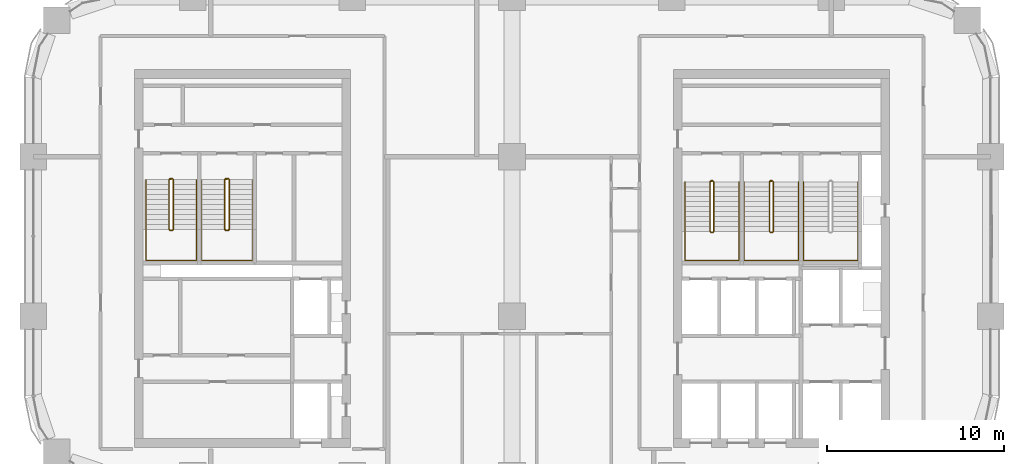
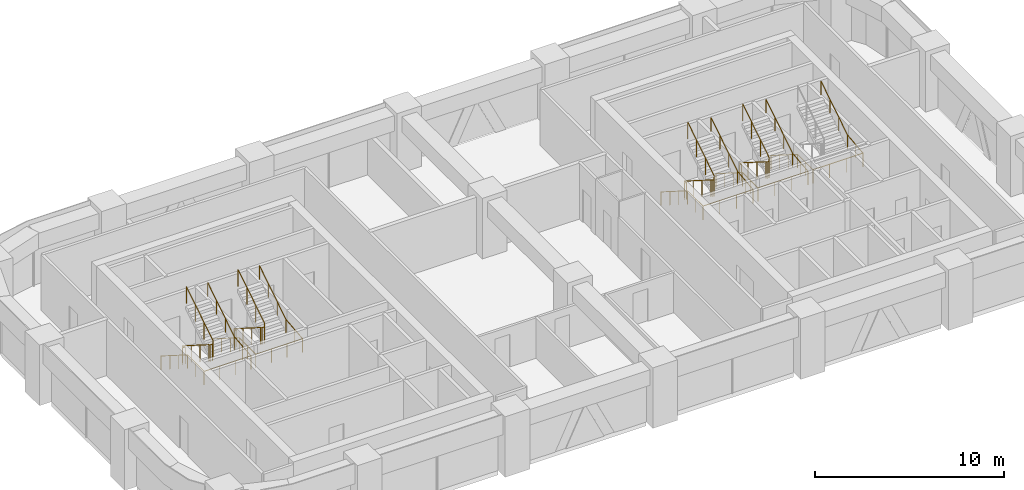
# One storey, part 18 of 19: 9 railings.
"""IFC4 building model written with IfcOpenShell, lengths in metres."""

import ifcopenshell
import ifcopenshell.guid

model = None  # the IFC model being written
_history = None  # IfcOwnerHistory: only IFC2X3 demands one
_inside = {}  # id of a spatial element -> (the spatial element, [elements in it])
_under = {}  # id of a project, library or spatial element -> (it, [spatial elements below it])
_declared = {}  # id of a project -> (the project, [libraries it declares])
_typed = {}  # id of a type object -> (the type object, [elements of that type])
_made_of = {}  # id of a material, layer set ... -> (it, [elements and type objects made of it])


def new_model(schema):
    """Start an empty IFC model of exactly this schema.

    Asked for "IFC4X3", IfcOpenShell would pick the latest addendum, in which some entities
    have other attributes; the version numbers below select the first issue.
    IFC2X3 requires an IfcOwnerHistory on every rooted entity: one is made here for all.
    """
    global model, _history
    if schema == "IFC4X3":
        model = ifcopenshell.file(schema_version=(4, 3, 0, 0))
    else:
        model = ifcopenshell.file(schema=schema)
    _inside.clear()
    _under.clear()
    _declared.clear()
    _typed.clear()
    _made_of.clear()
    _history = None
    if model.schema == "IFC2X3":
        org = make("IfcOrganization", Name="unknown")
        user = make(
            "IfcPersonAndOrganization",
            ThePerson=make("IfcPerson", FamilyName="unknown"),
            TheOrganization=org,
        )
        app = make(
            "IfcApplication",
            ApplicationDeveloper=org,
            Version="unknown",
            ApplicationFullName="unknown",
            ApplicationIdentifier="unknown",
        )
        _history = make(
            "IfcOwnerHistory",
            OwningUser=user,
            OwningApplication=app,
            ChangeAction="ADDED",
            CreationDate=0,
        )
    return model


def make(cls, **values):
    """One entity of the class cls with the attributes given. An attribute that is None is left unset."""
    return model.create_entity(
        cls, **{name: value for name, value in values.items() if value is not None}
    )


def rooted(cls, **values):
    """An entity with a GlobalId (a new one), such as an element, a storey or a relation."""
    return make(cls, GlobalId=ifcopenshell.guid.new(), OwnerHistory=_history, **values)


def si_unit(unit_type, name, prefix=None):
    """IfcSIUnit, for example si_unit("LENGTHUNIT", "METRE", prefix="MILLI")."""
    return make("IfcSIUnit", UnitType=unit_type, Prefix=prefix, Name=name)


def assignment(units):
    """IfcUnitAssignment: the units of a project."""
    return None if units is None else make("IfcUnitAssignment", Units=units)


def point(xyz):
    """IfcCartesianPoint."""
    return None if xyz is None else make("IfcCartesianPoint", Coordinates=xyz)


def direction(xyz):
    """IfcDirection."""
    return None if xyz is None else make("IfcDirection", DirectionRatios=xyz)


def frame(location, z_axis=None, x_axis=None):
    """IfcAxis2Placement3D, a coordinate frame: its origin and axes. An axis left out is left unset."""
    return make(
        "IfcAxis2Placement3D",
        Location=point(location),
        Axis=direction(z_axis),
        RefDirection=direction(x_axis),
    )


def frame_2d(location, x_axis=None):
    """IfcAxis2Placement2D, a coordinate frame in the plane: its origin and x axis."""
    return make(
        "IfcAxis2Placement2D", Location=point(location), RefDirection=direction(x_axis)
    )


def origin():
    """The frame at (0, 0, 0) with its axes left unset."""
    return frame((0.0, 0.0, 0.0))


def origin_2d():
    """The frame at (0, 0) in the plane with its x axis left unset."""
    return frame_2d((0.0, 0.0))


def place(relative_to, where):
    """IfcLocalPlacement: puts the frame where relative to a parent placement (None: the world)."""
    return make(
        "IfcLocalPlacement", PlacementRelTo=relative_to, RelativePlacement=where
    )


def context(
    kind, dimensions, precision=None, world=None, true_north=None, identifier=None
):
    """IfcGeometricRepresentationContext, for example the 3D "Model" context."""
    return make(
        "IfcGeometricRepresentationContext",
        ContextIdentifier=identifier,
        ContextType=kind,
        CoordinateSpaceDimension=dimensions,
        Precision=precision,
        WorldCoordinateSystem=world,
        TrueNorth=true_north,
    )


def subcontext(parent, identifier, kind, view, scale=None):
    """IfcGeometricRepresentationSubContext, for example "Body" below "Model"."""
    return make(
        "IfcGeometricRepresentationSubContext",
        ContextIdentifier=identifier,
        ContextType=kind,
        ParentContext=parent,
        TargetScale=scale,
        TargetView=view,
    )


def project(units=None, contexts=None):
    """IfcProject with its units and contexts."""
    return rooted(
        "IfcProject",
        Name="project",
        RepresentationContexts=contexts,
        UnitsInContext=assignment(units),
    )


def spatial(cls, under=None, at=None, **own):
    """A site, building, storey or space (cls), placed at a placement, below another one or the project."""
    s = rooted(cls, ObjectPlacement=at, **own)
    if under is not None:
        _under.setdefault(under.id(), (under, []))[1].append(s)
    return s


def profile(cls, at=None, kind="AREA", **sizes):
    """A parametric profile (cls). Its sizes go by their IFC names, for example OverallWidth=200.0."""
    return make(cls, ProfileType=kind, Position=at, **sizes)


def circle(**sizes):
    """IfcCircleProfileDef."""
    return profile("IfcCircleProfileDef", **sizes)


def extrude(swept, where, along, depth):
    """IfcExtrudedAreaSolid: the profile swept, set in the frame where, extruded along a direction by depth."""
    return make(
        "IfcExtrudedAreaSolid",
        SweptArea=swept,
        Position=where,
        ExtrudedDirection=direction(along),
        Depth=depth,
    )


def shape(context_of_items, identifier, shape_type, items):
    """IfcShapeRepresentation: the items that make up one representation, for example the "Body"."""
    return make(
        "IfcShapeRepresentation",
        ContextOfItems=context_of_items,
        RepresentationIdentifier=identifier,
        RepresentationType=shape_type,
        Items=items,
    )


def material(Name=None, Category=None):
    """IfcMaterial."""
    return make("IfcMaterial", Name=Name, Category=Category)


def made_of(thing, what):
    """Note that an element or type object is made of a material, layer set ...; save() writes the relation."""
    if what is not None:
        _made_of.setdefault(what.id(), (what, []))[1].append(thing)
    return thing


def type_object(cls, material=None, **own):
    """A type object (cls), such as IfcWallType, which elements share."""
    return made_of(rooted(cls, **own), material)


def element(
    cls,
    number,
    at=None,
    inside=None,
    cuts=None,
    type_object=None,
    material=None,
    context=None,
    identifier="Body",
    shape_type=None,
    held_by="IfcProductDefinitionShape",
    body=None,
    shapes=None,
    **own,
):
    """One element of the class cls, such as IfcWall. Its Tag is "e" and its number.

    at: its placement. inside: the storey or other place that contains it. cuts: it is an
    opening in that element (IfcRelVoidsElement). A single representation is given by context,
    identifier, shape_type and body (its items); several are given by shapes. held_by: the class
    of the entity that holds the representations. save() writes the other relations.
    """
    e = rooted(cls, Tag="e%d" % number, ObjectPlacement=at, **own)
    if body is not None:
        shapes = [shape(context, identifier, shape_type, body)]
    if shapes is not None:
        e.Representation = make(held_by, Representations=shapes)
    if inside is not None:
        _inside.setdefault(inside.id(), (inside, []))[1].append(e)
    if cuts is not None:
        rooted(
            "IfcRelVoidsElement", RelatingBuildingElement=cuts, RelatedOpeningElement=e
        )
    if type_object is not None:
        _typed.setdefault(type_object.id(), (type_object, []))[1].append(e)
    return made_of(e, material)


def aggregate(whole, parts):
    """IfcRelAggregates: a whole, such as a stair, and the parts it consists of."""
    return rooted("IfcRelAggregates", RelatingObject=whole, RelatedObjects=parts)


def save(model, path):
    """Write the relations noted so far, then the file.

    IfcRelAggregates (storeys below a building ...), IfcRelContainedInSpatialStructure (elements
    in a storey), IfcRelDefinesByType, IfcRelAssociatesMaterial and IfcRelDeclares: one each for
    every whole, place, type object, material and project.
    """
    for whole, parts in _under.values():
        aggregate(whole, parts)
    for where, things in _inside.values():
        rooted(
            "IfcRelContainedInSpatialStructure",
            RelatedElements=things,
            RelatingStructure=where,
        )
    for kind, things in _typed.values():
        rooted("IfcRelDefinesByType", RelatedObjects=things, RelatingType=kind)
    for what, things in _made_of.values():
        rooted("IfcRelAssociatesMaterial", RelatedObjects=things, RelatingMaterial=what)
    for by, libraries in _declared.values():
        rooted("IfcRelDeclares", RelatingContext=by, RelatedDefinitions=libraries)
    model.write(path)


model = new_model("IFC4")

# Units and contexts
model_context = context("Model", 3, precision=1e-05, world=origin(), true_north=direction((0.0, 1.0)))
body_context = subcontext(model_context, "Body", "Model", "MODEL_VIEW")
ifc_project = project(units=[si_unit("LENGTHUNIT", "METRE"), si_unit("AREAUNIT", "SQUARE_METRE"), si_unit("VOLUMEUNIT", "CUBIC_METRE"), si_unit("PLANEANGLEUNIT", "RADIAN"), si_unit("MASSUNIT", "GRAM", prefix="KILO")], contexts=[model_context])

# Site, building, storey
site_placement = place(None, origin())
site = spatial("IfcSite", under=ifc_project, at=site_placement, CompositionType="ELEMENT")
building_placement = place(site_placement, origin())
building = spatial("IfcBuilding", under=site, at=building_placement, Name="Tessera Arch", CompositionType="ELEMENT")
storey_placement = place(building_placement, frame((0.0, 0.0, 170.0)))
storey = spatial("IfcBuildingStorey", under=building, at=storey_placement, Name="L40", CompositionType="ELEMENT", Elevation=170.0)

# Railings
ifc_material_1 = material(Name="Painted steel balustrade", Category="steel")
railing_type_1 = type_object("IfcRailingType", Name="Stair guard 1100", PredefinedType="GUARDRAIL", material=ifc_material_1)
railing_1_placement = place(storey_placement, frame((38.219970703125, 43.6298828125, 0.0)))
element("IfcRailing", 1, at=railing_1_placement, inside=storey, type_object=railing_type_1, Name="L40 S1a stair guard 1", PredefinedType="GUARDRAIL", context=body_context, shape_type="SweptSolid", body=[
    extrude(circle(Radius=0.02392578125, at=origin_2d()), frame((-0.00390625, 0.0, 1.076171875), z_axis=(1.0, 0.0, 0.0), x_axis=(0.0, 1.0, 0.0)), (0.0, 0.0, 1.0), 0.1181640625),
    extrude(circle(Radius=0.02392578125, at=origin_2d()), frame((0.11279296875, 0.000732421875, 1.0732421875), z_axis=(-0.656319048605, -0.204099216335, 0.726353093426), x_axis=(0.296948579431, -0.954893471113, 0.0)), (0.0, 0.0, 1.0), 0.251953125),
    extrude(circle(Radius=0.02392578125, at=origin_2d()), frame((-0.050048828125, -0.04638671875, 1.251220703125), z_axis=(0.0, -0.844908973607, 0.534910110503), x_axis=(1.0, 0.0, 0.0)), (0.0, 0.0, 1.0), 3.322021484375),
    extrude(circle(Radius=0.02392578125, at=origin_2d()), frame((-0.052978515625, -2.846923828125, 3.02587890625), z_axis=(0.707106781187, -0.707106781187, 0.0), x_axis=(0.707106781187, 0.707106781187, 0.0)), (0.0, 0.0, 1.0), 0.078857421875),
    extrude(circle(Radius=0.02392578125, at=origin_2d()), frame((-0.00390625, -2.89990234375, 3.02587890625), z_axis=(1.0, 0.0, 0.0), x_axis=(0.0, 1.0, 0.0)), (0.0, 0.0, 1.0), 0.1181640625),
    extrude(circle(Radius=0.02392578125, at=origin_2d()), frame((0.109130859375, -2.90087890625, 3.022216796875), z_axis=(0.261041864531, 0.262321481514, 0.929001929653), x_axis=(-0.708833529934, 0.705375805398, 0.0)), (0.0, 0.0, 1.0), 0.19873046875),
    extrude(circle(Radius=0.02392578125, at=origin_2d()), frame((0.159912109375, -2.853271484375, 3.201171875), z_axis=(0.0, 0.844908973607, 0.534910110503), x_axis=(-1.0, 0.0, 0.0)), (0.0, 0.0, 1.0), 3.322021484375),
    extrude(circle(Radius=0.02099609375, at=origin_2d()), origin(), (0.0, 0.0, 1.0), 1.06396484375),
    extrude(circle(Radius=0.02099609375, at=origin_2d()), frame((0.110107421875, 0.0, 0.0)), (0.0, 0.0, 1.0), 1.06396484375),
    extrude(circle(Radius=0.02099609375, at=origin_2d()), frame((-0.050048828125, -0.0498046875, 0.17724609375)), (0.0, 0.0, 1.0), 1.06396484375),
    extrude(circle(Radius=0.02099609375, at=origin_2d()), frame((-0.050048828125, -0.983154296875, 0.76806640625)), (0.0, 0.0, 1.0), 1.06396484375),
    extrude(circle(Radius=0.02099609375, at=origin_2d()), frame((-0.050048828125, -1.91650390625, 1.359130859375)), (0.0, 0.0, 1.0), 1.06396484375),
    extrude(circle(Radius=0.02099609375, at=origin_2d()), frame((-0.050048828125, -2.849853515625, 1.949951171875)), (0.0, 0.0, 1.0), 1.06396484375),
    extrude(circle(Radius=0.02099609375, at=origin_2d()), frame((0.0, -2.89990234375, 1.949951171875)), (0.0, 0.0, 1.0), 1.06396484375),
    extrude(circle(Radius=0.02099609375, at=origin_2d()), frame((0.110107421875, -2.89990234375, 1.949951171875)), (0.0, 0.0, 1.0), 1.06396484375),
    extrude(circle(Radius=0.02099609375, at=origin_2d()), frame((0.159912109375, -2.849853515625, 2.127197265625)), (0.0, 0.0, 1.0), 1.06396484375),
    extrude(circle(Radius=0.02099609375, at=origin_2d()), frame((0.159912109375, -1.91650390625, 2.718017578125)), (0.0, 0.0, 1.0), 1.06396484375),
    extrude(circle(Radius=0.02099609375, at=origin_2d()), frame((0.159912109375, -0.983154296875, 3.30908203125)), (0.0, 0.0, 1.0), 1.06396484375),
    extrude(circle(Radius=0.02099609375, at=origin_2d()), frame((0.159912109375, -0.0498046875, 3.89990234375)), (0.0, 0.0, 1.0), 1.06396484375),
])
railing_2_placement = place(storey_placement, frame((41.570068359375, 43.6298828125, 0.0)))
element("IfcRailing", 2, at=railing_2_placement, inside=storey, type_object=railing_type_1, Name="L40 S1b stair guard 1", PredefinedType="GUARDRAIL", context=body_context, shape_type="SweptSolid", body=[
    extrude(circle(Radius=0.02392578125, at=origin_2d()), frame((-0.00390625, 0.0, 1.076171875), z_axis=(1.0, 0.0, 0.0), x_axis=(0.0, 1.0, 0.0)), (0.0, 0.0, 1.0), 0.117919921875),
    extrude(circle(Radius=0.02392578125, at=origin_2d()), frame((0.112548828125, 0.000732421875, 1.0732421875), z_axis=(-0.65574896516, -0.204233265485, 0.726830150696), x_axis=(0.297361876254, -0.954764847777, 0.0)), (0.0, 0.0, 1.0), 0.251953125),
    extrude(circle(Radius=0.02392578125, at=origin_2d()), frame((-0.050048828125, -0.04638671875, 1.251220703125), z_axis=(0.0, -0.844908973607, 0.534910110503), x_axis=(1.0, 0.0, 0.0)), (0.0, 0.0, 1.0), 3.322021484375),
    extrude(circle(Radius=0.02392578125, at=origin_2d()), frame((-0.052978515625, -2.846923828125, 3.02587890625), z_axis=(0.707106781187, -0.707106781187, 0.0), x_axis=(0.707106781187, 0.707106781187, 0.0)), (0.0, 0.0, 1.0), 0.078857421875),
    extrude(circle(Radius=0.02392578125, at=origin_2d()), frame((-0.00390625, -2.89990234375, 3.02587890625), z_axis=(1.0, 0.0, 0.0), x_axis=(0.0, 1.0, 0.0)), (0.0, 0.0, 1.0), 0.117919921875),
    extrude(circle(Radius=0.02392578125, at=origin_2d()), frame((0.10888671875, -2.90087890625, 3.022216796875), z_axis=(0.262233686654, 0.262233686654, 0.928691007369), x_axis=(-0.707106781187, 0.707106781187, 0.0)), (0.0, 0.0, 1.0), 0.198974609375),
    extrude(circle(Radius=0.02392578125, at=origin_2d()), frame((0.159912109375, -2.853271484375, 3.201171875), z_axis=(0.0, 0.844908973607, 0.534910110503), x_axis=(-1.0, 0.0, 0.0)), (0.0, 0.0, 1.0), 3.322021484375),
    extrude(circle(Radius=0.02099609375, at=origin_2d()), origin(), (0.0, 0.0, 1.0), 1.06396484375),
    extrude(circle(Radius=0.02099609375, at=origin_2d()), frame((0.10986328125, 0.0, 0.0)), (0.0, 0.0, 1.0), 1.06396484375),
    extrude(circle(Radius=0.02099609375, at=origin_2d()), frame((-0.050048828125, -0.0498046875, 0.17724609375)), (0.0, 0.0, 1.0), 1.06396484375),
    extrude(circle(Radius=0.02099609375, at=origin_2d()), frame((-0.050048828125, -0.983154296875, 0.76806640625)), (0.0, 0.0, 1.0), 1.06396484375),
    extrude(circle(Radius=0.02099609375, at=origin_2d()), frame((-0.050048828125, -1.91650390625, 1.359130859375)), (0.0, 0.0, 1.0), 1.06396484375),
    extrude(circle(Radius=0.02099609375, at=origin_2d()), frame((-0.050048828125, -2.849853515625, 1.949951171875)), (0.0, 0.0, 1.0), 1.06396484375),
    extrude(circle(Radius=0.02099609375, at=origin_2d()), frame((0.0, -2.89990234375, 1.949951171875)), (0.0, 0.0, 1.0), 1.06396484375),
    extrude(circle(Radius=0.02099609375, at=origin_2d()), frame((0.10986328125, -2.89990234375, 1.949951171875)), (0.0, 0.0, 1.0), 1.06396484375),
    extrude(circle(Radius=0.02099609375, at=origin_2d()), frame((0.159912109375, -2.849853515625, 2.127197265625)), (0.0, 0.0, 1.0), 1.06396484375),
    extrude(circle(Radius=0.02099609375, at=origin_2d()), frame((0.159912109375, -1.91650390625, 2.718017578125)), (0.0, 0.0, 1.0), 1.06396484375),
    extrude(circle(Radius=0.02099609375, at=origin_2d()), frame((0.159912109375, -0.983154296875, 3.30908203125)), (0.0, 0.0, 1.0), 1.06396484375),
    extrude(circle(Radius=0.02099609375, at=origin_2d()), frame((0.159912109375, -0.0498046875, 3.89990234375)), (0.0, 0.0, 1.0), 1.06396484375),
])
railing_3_placement = place(storey_placement, frame((7.699951171875, 43.75, 0.0)))
element("IfcRailing", 3, at=railing_3_placement, inside=storey, type_object=railing_type_1, Name="L40 S2a stair guard 1", PredefinedType="GUARDRAIL", context=body_context, shape_type="SweptSolid", body=[
    extrude(circle(Radius=0.02392578125, at=origin_2d()), frame((-0.00390625, 0.0, 1.076171875), z_axis=(1.0, 0.0, 0.0), x_axis=(0.0, 1.0, 0.0)), (0.0, 0.0, 1.0), 0.158203125),
    extrude(circle(Radius=0.02392578125, at=origin_2d()), frame((0.153076171875, 0.000732421875, 1.073486328125), z_axis=(-0.735936453418, -0.183984113355, 0.651573006319), x_axis=(0.242535625036, -0.970142500145, 0.0)), (0.0, 0.0, 1.0), 0.280029296875),
    extrude(circle(Radius=0.02392578125, at=origin_2d()), frame((-0.050048828125, -0.046630859375, 1.251220703125), z_axis=(0.0, -0.844908973607, 0.534910110503), x_axis=(1.0, 0.0, 0.0)), (0.0, 0.0, 1.0), 3.322021484375),
    extrude(circle(Radius=0.02392578125, at=origin_2d()), frame((-0.052978515625, -2.84716796875, 3.02587890625), z_axis=(0.708833529934, -0.705375805398, 0.0), x_axis=(0.705375805398, 0.708833529934, 0.0)), (0.0, 0.0, 1.0), 0.07861328125),
    extrude(circle(Radius=0.02392578125, at=origin_2d()), frame((-0.00390625, -2.89990234375, 3.02587890625), z_axis=(1.0, 0.0, 0.0), x_axis=(0.0, 1.0, 0.0)), (0.0, 0.0, 1.0), 0.158203125),
    extrude(circle(Radius=0.02392578125, at=origin_2d()), frame((0.149169921875, -2.90087890625, 3.022216796875), z_axis=(0.261129318932, 0.261129318932, 0.929313164433), x_axis=(-0.707106781187, 0.707106781187, 0.0)), (0.0, 0.0, 1.0), 0.19873046875),
    extrude(circle(Radius=0.02392578125, at=origin_2d()), frame((0.199951171875, -2.853515625, 3.201171875), z_axis=(0.0, 0.844908973607, 0.534910110503), x_axis=(-1.0, 0.0, 0.0)), (0.0, 0.0, 1.0), 3.322021484375),
    extrude(circle(Radius=0.02099609375, at=origin_2d()), origin(), (0.0, 0.0, 1.0), 1.06396484375),
    extrude(circle(Radius=0.02099609375, at=origin_2d()), frame((0.150146484375, 0.0, 0.0)), (0.0, 0.0, 1.0), 1.06396484375),
    extrude(circle(Radius=0.02099609375, at=origin_2d()), frame((-0.050048828125, -0.050048828125, 0.17724609375)), (0.0, 0.0, 1.0), 1.06396484375),
    extrude(circle(Radius=0.02099609375, at=origin_2d()), frame((-0.050048828125, -0.9833984375, 0.76806640625)), (0.0, 0.0, 1.0), 1.06396484375),
    extrude(circle(Radius=0.02099609375, at=origin_2d()), frame((-0.050048828125, -1.916748046875, 1.359130859375)), (0.0, 0.0, 1.0), 1.06396484375),
    extrude(circle(Radius=0.02099609375, at=origin_2d()), frame((-0.050048828125, -2.85009765625, 1.949951171875)), (0.0, 0.0, 1.0), 1.06396484375),
    extrude(circle(Radius=0.02099609375, at=origin_2d()), frame((0.0, -2.89990234375, 1.949951171875)), (0.0, 0.0, 1.0), 1.06396484375),
    extrude(circle(Radius=0.02099609375, at=origin_2d()), frame((0.150146484375, -2.89990234375, 1.949951171875)), (0.0, 0.0, 1.0), 1.06396484375),
    extrude(circle(Radius=0.02099609375, at=origin_2d()), frame((0.199951171875, -2.85009765625, 2.127197265625)), (0.0, 0.0, 1.0), 1.06396484375),
    extrude(circle(Radius=0.02099609375, at=origin_2d()), frame((0.199951171875, -1.916748046875, 2.718017578125)), (0.0, 0.0, 1.0), 1.06396484375),
    extrude(circle(Radius=0.02099609375, at=origin_2d()), frame((0.199951171875, -0.9833984375, 3.30908203125)), (0.0, 0.0, 1.0), 1.06396484375),
    extrude(circle(Radius=0.02099609375, at=origin_2d()), frame((0.199951171875, -0.050048828125, 3.89990234375)), (0.0, 0.0, 1.0), 1.06396484375),
])
railing_4_placement = place(storey_placement, frame((10.85009765625, 43.75, 0.0)))
element("IfcRailing", 4, at=railing_4_placement, inside=storey, type_object=railing_type_1, Name="L40 S2b stair guard 1", PredefinedType="GUARDRAIL", context=body_context, shape_type="SweptSolid", body=[
    extrude(circle(Radius=0.02392578125, at=origin_2d()), frame((-0.00390625, 0.0, 1.076171875), z_axis=(1.0, 0.0, 0.0), x_axis=(0.0, 1.0, 0.0)), (0.0, 0.0, 1.0), 0.157958984375),
    extrude(circle(Radius=0.02392578125, at=origin_2d()), frame((0.15283203125, 0.000732421875, 1.073486328125), z_axis=(-0.735524641326, -0.184105679453, 0.652003528208), x_axis=(0.242814311512, -0.970072785993, 0.0)), (0.0, 0.0, 1.0), 0.27978515625),
    extrude(circle(Radius=0.02392578125, at=origin_2d()), frame((-0.050048828125, -0.046630859375, 1.251220703125), z_axis=(0.0, -0.844908973607, 0.534910110503), x_axis=(1.0, 0.0, 0.0)), (0.0, 0.0, 1.0), 3.322021484375),
    extrude(circle(Radius=0.02392578125, at=origin_2d()), frame((-0.052978515625, -2.84716796875, 3.02587890625), z_axis=(0.708833529934, -0.705375805398, 0.0), x_axis=(0.705375805398, 0.708833529934, 0.0)), (0.0, 0.0, 1.0), 0.07861328125),
    extrude(circle(Radius=0.02392578125, at=origin_2d()), frame((-0.00390625, -2.89990234375, 3.02587890625), z_axis=(1.0, 0.0, 0.0), x_axis=(0.0, 1.0, 0.0)), (0.0, 0.0, 1.0), 0.157958984375),
    extrude(circle(Radius=0.02392578125, at=origin_2d()), frame((0.14892578125, -2.90087890625, 3.022216796875), z_axis=(0.262321481514, 0.261041864531, 0.929001929653), x_axis=(-0.705375805398, 0.708833529934, 0.0)), (0.0, 0.0, 1.0), 0.19873046875),
    extrude(circle(Radius=0.02392578125, at=origin_2d()), frame((0.199951171875, -2.853515625, 3.201171875), z_axis=(0.0, 0.844908973607, 0.534910110503), x_axis=(-1.0, 0.0, 0.0)), (0.0, 0.0, 1.0), 3.322021484375),
    extrude(circle(Radius=0.02099609375, at=origin_2d()), origin(), (0.0, 0.0, 1.0), 1.06396484375),
    extrude(circle(Radius=0.02099609375, at=origin_2d()), frame((0.14990234375, 0.0, 0.0)), (0.0, 0.0, 1.0), 1.06396484375),
    extrude(circle(Radius=0.02099609375, at=origin_2d()), frame((-0.050048828125, -0.050048828125, 0.17724609375)), (0.0, 0.0, 1.0), 1.06396484375),
    extrude(circle(Radius=0.02099609375, at=origin_2d()), frame((-0.050048828125, -0.9833984375, 0.76806640625)), (0.0, 0.0, 1.0), 1.06396484375),
    extrude(circle(Radius=0.02099609375, at=origin_2d()), frame((-0.050048828125, -1.916748046875, 1.359130859375)), (0.0, 0.0, 1.0), 1.06396484375),
    extrude(circle(Radius=0.02099609375, at=origin_2d()), frame((-0.050048828125, -2.85009765625, 1.949951171875)), (0.0, 0.0, 1.0), 1.06396484375),
    extrude(circle(Radius=0.02099609375, at=origin_2d()), frame((0.0, -2.89990234375, 1.949951171875)), (0.0, 0.0, 1.0), 1.06396484375),
    extrude(circle(Radius=0.02099609375, at=origin_2d()), frame((0.14990234375, -2.89990234375, 1.949951171875)), (0.0, 0.0, 1.0), 1.06396484375),
    extrude(circle(Radius=0.02099609375, at=origin_2d()), frame((0.199951171875, -2.85009765625, 2.127197265625)), (0.0, 0.0, 1.0), 1.06396484375),
    extrude(circle(Radius=0.02099609375, at=origin_2d()), frame((0.199951171875, -1.916748046875, 2.718017578125)), (0.0, 0.0, 1.0), 1.06396484375),
    extrude(circle(Radius=0.02099609375, at=origin_2d()), frame((0.199951171875, -0.9833984375, 3.30908203125)), (0.0, 0.0, 1.0), 1.06396484375),
    extrude(circle(Radius=0.02099609375, at=origin_2d()), frame((0.199951171875, -0.050048828125, 3.89990234375)), (0.0, 0.0, 1.0), 1.06396484375),
])
ifc_material_2 = material(Name="Painted steel handrail", Category="steel")
railing_type_2 = type_object("IfcRailingType", Name="Stair handrail 900", PredefinedType="HANDRAIL", material=ifc_material_2)
railing_5_placement = place(storey_placement, frame((36.75, 43.580078125, 0.17724609375)))
element("IfcRailing", 5, at=railing_5_placement, inside=storey, type_object=railing_type_2, Name="L40 S1a stair handrail", PredefinedType="HANDRAIL", context=body_context, shape_type="SweptSolid", body=[
    extrude(circle(Radius=0.02392578125, at=origin_2d()), frame((0.0, 0.00341796875, 0.873779296875), z_axis=(0.0, -0.844908973607, 0.534910110503), x_axis=(1.0, 0.0, 0.0)), (0.0, 0.0, 1.0), 3.322021484375),
    extrude(circle(Radius=0.02392578125, at=origin_2d()), frame((0.0, -2.796142578125, 2.6484375), z_axis=(0.0, -1.0, 0.0), x_axis=(1.0, 0.0, 0.0)), (0.0, 0.0, 1.0), 1.63818359375),
    extrude(circle(Radius=0.02392578125, at=origin_2d()), frame((-0.00390625, -4.43017578125, 2.6484375), z_axis=(1.0, 0.0, 0.0), x_axis=(0.0, 1.0, 0.0)), (0.0, 0.0, 1.0), 3.05810546875),
    extrude(circle(Radius=0.02392578125, at=origin_2d()), frame((3.050048828125, -4.43408203125, 2.648193359375), z_axis=(0.0, 0.994140637614, 0.108094369164), x_axis=(-1.0, 0.0, 0.0)), (0.0, 0.0, 1.0), 1.647705078125),
    extrude(circle(Radius=0.02392578125, at=origin_2d()), frame((3.050048828125, -2.803466796875, 2.82373046875), z_axis=(0.0, 0.844908973607, 0.534910110503), x_axis=(-1.0, 0.0, 0.0)), (0.0, 0.0, 1.0), 3.322021484375),
    extrude(circle(Radius=0.02099609375, at=origin_2d()), origin(), (0.0, 0.0, 1.0), 0.86376953125),
    extrude(circle(Radius=0.02099609375, at=origin_2d()), frame((0.0, -0.933349609375, 0.5908203125)), (0.0, 0.0, 1.0), 0.86376953125),
    extrude(circle(Radius=0.02099609375, at=origin_2d()), frame((0.0, -1.86669921875, 1.181884765625)), (0.0, 0.0, 1.0), 0.86376953125),
    extrude(circle(Radius=0.02099609375, at=origin_2d()), frame((0.0, -2.800048828125, 1.772705078125)), (0.0, 0.0, 1.0), 0.86376953125),
    extrude(circle(Radius=0.02099609375, at=origin_2d()), frame((0.0, -3.615234375, 1.772705078125)), (0.0, 0.0, 1.0), 0.86376953125),
    extrude(circle(Radius=0.02099609375, at=origin_2d()), frame((0.0, -4.43017578125, 1.772705078125)), (0.0, 0.0, 1.0), 0.86376953125),
    extrude(circle(Radius=0.02099609375, at=origin_2d()), frame((1.0166015625, -4.43017578125, 1.772705078125)), (0.0, 0.0, 1.0), 0.86376953125),
    extrude(circle(Radius=0.02099609375, at=origin_2d()), frame((2.033447265625, -4.43017578125, 1.772705078125)), (0.0, 0.0, 1.0), 0.86376953125),
    extrude(circle(Radius=0.02099609375, at=origin_2d()), frame((3.050048828125, -4.43017578125, 1.772705078125)), (0.0, 0.0, 1.0), 0.86376953125),
    extrude(circle(Radius=0.02099609375, at=origin_2d()), frame((3.050048828125, -3.615234375, 1.861328125)), (0.0, 0.0, 1.0), 0.86376953125),
    extrude(circle(Radius=0.02099609375, at=origin_2d()), frame((3.050048828125, -2.800048828125, 1.949951171875)), (0.0, 0.0, 1.0), 0.86376953125),
    extrude(circle(Radius=0.02099609375, at=origin_2d()), frame((3.050048828125, -1.86669921875, 2.540771484375)), (0.0, 0.0, 1.0), 0.86376953125),
    extrude(circle(Radius=0.02099609375, at=origin_2d()), frame((3.050048828125, -0.933349609375, 3.1318359375)), (0.0, 0.0, 1.0), 0.86376953125),
    extrude(circle(Radius=0.02099609375, at=origin_2d()), frame((3.050048828125, 0.0, 3.72265625)), (0.0, 0.0, 1.0), 0.86376953125),
])
railing_6_placement = place(storey_placement, frame((40.10009765625, 43.580078125, 0.17724609375)))
element("IfcRailing", 6, at=railing_6_placement, inside=storey, type_object=railing_type_2, Name="L40 S1b stair handrail", PredefinedType="HANDRAIL", context=body_context, shape_type="SweptSolid", body=[
    extrude(circle(Radius=0.02392578125, at=origin_2d()), frame((0.0, 0.00341796875, 0.873779296875), z_axis=(0.0, -0.844908973607, 0.534910110503), x_axis=(1.0, 0.0, 0.0)), (0.0, 0.0, 1.0), 3.322021484375),
    extrude(circle(Radius=0.02392578125, at=origin_2d()), frame((0.0, -2.796142578125, 2.6484375), z_axis=(0.0, -1.0, 0.0), x_axis=(1.0, 0.0, 0.0)), (0.0, 0.0, 1.0), 1.63818359375),
    extrude(circle(Radius=0.02392578125, at=origin_2d()), frame((-0.00390625, -4.43017578125, 2.6484375), z_axis=(1.0, 0.0, 0.0), x_axis=(0.0, 1.0, 0.0)), (0.0, 0.0, 1.0), 3.057861328125),
    extrude(circle(Radius=0.02392578125, at=origin_2d()), frame((3.0498046875, -4.43408203125, 2.648193359375), z_axis=(0.0, 0.994140637614, 0.108094369164), x_axis=(-1.0, 0.0, 0.0)), (0.0, 0.0, 1.0), 1.647705078125),
    extrude(circle(Radius=0.02392578125, at=origin_2d()), frame((3.0498046875, -2.803466796875, 2.82373046875), z_axis=(0.0, 0.844908973607, 0.534910110503), x_axis=(-1.0, 0.0, 0.0)), (0.0, 0.0, 1.0), 3.322021484375),
    extrude(circle(Radius=0.02099609375, at=origin_2d()), origin(), (0.0, 0.0, 1.0), 0.86376953125),
    extrude(circle(Radius=0.02099609375, at=origin_2d()), frame((0.0, -0.933349609375, 0.5908203125)), (0.0, 0.0, 1.0), 0.86376953125),
    extrude(circle(Radius=0.02099609375, at=origin_2d()), frame((0.0, -1.86669921875, 1.181884765625)), (0.0, 0.0, 1.0), 0.86376953125),
    extrude(circle(Radius=0.02099609375, at=origin_2d()), frame((0.0, -2.800048828125, 1.772705078125)), (0.0, 0.0, 1.0), 0.86376953125),
    extrude(circle(Radius=0.02099609375, at=origin_2d()), frame((0.0, -3.615234375, 1.772705078125)), (0.0, 0.0, 1.0), 0.86376953125),
    extrude(circle(Radius=0.02099609375, at=origin_2d()), frame((0.0, -4.43017578125, 1.772705078125)), (0.0, 0.0, 1.0), 0.86376953125),
    extrude(circle(Radius=0.02099609375, at=origin_2d()), frame((1.0166015625, -4.43017578125, 1.772705078125)), (0.0, 0.0, 1.0), 0.86376953125),
    extrude(circle(Radius=0.02099609375, at=origin_2d()), frame((2.033203125, -4.43017578125, 1.772705078125)), (0.0, 0.0, 1.0), 0.86376953125),
    extrude(circle(Radius=0.02099609375, at=origin_2d()), frame((3.0498046875, -4.43017578125, 1.772705078125)), (0.0, 0.0, 1.0), 0.86376953125),
    extrude(circle(Radius=0.02099609375, at=origin_2d()), frame((3.0498046875, -3.615234375, 1.861328125)), (0.0, 0.0, 1.0), 0.86376953125),
    extrude(circle(Radius=0.02099609375, at=origin_2d()), frame((3.0498046875, -2.800048828125, 1.949951171875)), (0.0, 0.0, 1.0), 0.86376953125),
    extrude(circle(Radius=0.02099609375, at=origin_2d()), frame((3.0498046875, -1.86669921875, 2.540771484375)), (0.0, 0.0, 1.0), 0.86376953125),
    extrude(circle(Radius=0.02099609375, at=origin_2d()), frame((3.0498046875, -0.933349609375, 3.1318359375)), (0.0, 0.0, 1.0), 0.86376953125),
    extrude(circle(Radius=0.02099609375, at=origin_2d()), frame((3.0498046875, 0.0, 3.72265625)), (0.0, 0.0, 1.0), 0.86376953125),
])
railing_7_placement = place(storey_placement, frame((43.449951171875, 43.580078125, 0.17724609375)))
element("IfcRailing", 7, at=railing_7_placement, inside=storey, type_object=railing_type_2, Name="L40 S1c stair handrail", PredefinedType="HANDRAIL", context=body_context, shape_type="SweptSolid", body=[
    extrude(circle(Radius=0.02392578125, at=origin_2d()), frame((0.0, 0.00341796875, 0.873779296875), z_axis=(0.0, -0.844908973607, 0.534910110503), x_axis=(1.0, 0.0, 0.0)), (0.0, 0.0, 1.0), 3.322021484375),
    extrude(circle(Radius=0.02392578125, at=origin_2d()), frame((0.0, -2.796142578125, 2.6484375), z_axis=(0.0, -1.0, 0.0), x_axis=(1.0, 0.0, 0.0)), (0.0, 0.0, 1.0), 1.63818359375),
    extrude(circle(Radius=0.02392578125, at=origin_2d()), frame((-0.00390625, -4.43017578125, 2.6484375), z_axis=(1.0, 0.0, 0.0), x_axis=(0.0, 1.0, 0.0)), (0.0, 0.0, 1.0), 3.05810546875),
    extrude(circle(Radius=0.02392578125, at=origin_2d()), frame((3.050048828125, -4.43408203125, 2.648193359375), z_axis=(0.0, 0.994140637614, 0.108094369164), x_axis=(-1.0, 0.0, 0.0)), (0.0, 0.0, 1.0), 1.647705078125),
    extrude(circle(Radius=0.02392578125, at=origin_2d()), frame((3.050048828125, -2.803466796875, 2.82373046875), z_axis=(0.0, 0.844908973607, 0.534910110503), x_axis=(-1.0, 0.0, 0.0)), (0.0, 0.0, 1.0), 3.322021484375),
    extrude(circle(Radius=0.02099609375, at=origin_2d()), origin(), (0.0, 0.0, 1.0), 0.86376953125),
    extrude(circle(Radius=0.02099609375, at=origin_2d()), frame((0.0, -0.933349609375, 0.5908203125)), (0.0, 0.0, 1.0), 0.86376953125),
    extrude(circle(Radius=0.02099609375, at=origin_2d()), frame((0.0, -1.86669921875, 1.181884765625)), (0.0, 0.0, 1.0), 0.86376953125),
    extrude(circle(Radius=0.02099609375, at=origin_2d()), frame((0.0, -2.800048828125, 1.772705078125)), (0.0, 0.0, 1.0), 0.86376953125),
    extrude(circle(Radius=0.02099609375, at=origin_2d()), frame((0.0, -3.615234375, 1.772705078125)), (0.0, 0.0, 1.0), 0.86376953125),
    extrude(circle(Radius=0.02099609375, at=origin_2d()), frame((0.0, -4.43017578125, 1.772705078125)), (0.0, 0.0, 1.0), 0.86376953125),
    extrude(circle(Radius=0.02099609375, at=origin_2d()), frame((1.0166015625, -4.43017578125, 1.772705078125)), (0.0, 0.0, 1.0), 0.86376953125),
    extrude(circle(Radius=0.02099609375, at=origin_2d()), frame((2.033447265625, -4.43017578125, 1.772705078125)), (0.0, 0.0, 1.0), 0.86376953125),
    extrude(circle(Radius=0.02099609375, at=origin_2d()), frame((3.050048828125, -4.43017578125, 1.772705078125)), (0.0, 0.0, 1.0), 0.86376953125),
    extrude(circle(Radius=0.02099609375, at=origin_2d()), frame((3.050048828125, -3.615234375, 1.861328125)), (0.0, 0.0, 1.0), 0.86376953125),
    extrude(circle(Radius=0.02099609375, at=origin_2d()), frame((3.050048828125, -2.800048828125, 1.949951171875)), (0.0, 0.0, 1.0), 0.86376953125),
    extrude(circle(Radius=0.02099609375, at=origin_2d()), frame((3.050048828125, -1.86669921875, 2.540771484375)), (0.0, 0.0, 1.0), 0.86376953125),
    extrude(circle(Radius=0.02099609375, at=origin_2d()), frame((3.050048828125, -0.933349609375, 3.1318359375)), (0.0, 0.0, 1.0), 0.86376953125),
    extrude(circle(Radius=0.02099609375, at=origin_2d()), frame((3.050048828125, 0.0, 3.72265625)), (0.0, 0.0, 1.0), 0.86376953125),
])
railing_8_placement = place(storey_placement, frame((6.35009765625, 43.699951171875, 0.17724609375)))
element("IfcRailing", 8, at=railing_8_placement, inside=storey, type_object=railing_type_2, Name="L40 S2a stair handrail", PredefinedType="HANDRAIL", context=body_context, shape_type="SweptSolid", body=[
    extrude(circle(Radius=0.02392578125, at=origin_2d()), frame((0.0, 0.00341796875, 0.873779296875), z_axis=(0.0, -0.844908973607, 0.534910110503), x_axis=(1.0, 0.0, 0.0)), (0.0, 0.0, 1.0), 3.322021484375),
    extrude(circle(Radius=0.02392578125, at=origin_2d()), frame((0.0, -2.796142578125, 2.6484375), z_axis=(0.0, -1.0, 0.0), x_axis=(1.0, 0.0, 0.0)), (0.0, 0.0, 1.0), 1.758056640625),
    extrude(circle(Radius=0.02392578125, at=origin_2d()), frame((-0.00390625, -4.550048828125, 2.6484375), z_axis=(1.0, 0.0, 0.0), x_axis=(0.0, 1.0, 0.0)), (0.0, 0.0, 1.0), 2.85791015625),
    extrude(circle(Radius=0.02392578125, at=origin_2d()), frame((2.849853515625, -4.553955078125, 2.648193359375), z_axis=(0.0, 0.994909956378, 0.100767944801), x_axis=(-1.0, 0.0, 0.0)), (0.0, 0.0, 1.0), 1.766845703125),
    extrude(circle(Radius=0.02392578125, at=origin_2d()), frame((2.849853515625, -2.803466796875, 2.82373046875), z_axis=(0.0, 0.844908973607, 0.534910110503), x_axis=(-1.0, 0.0, 0.0)), (0.0, 0.0, 1.0), 3.322021484375),
    extrude(circle(Radius=0.02099609375, at=origin_2d()), origin(), (0.0, 0.0, 1.0), 0.86376953125),
    extrude(circle(Radius=0.02099609375, at=origin_2d()), frame((0.0, -0.933349609375, 0.5908203125)), (0.0, 0.0, 1.0), 0.86376953125),
    extrude(circle(Radius=0.02099609375, at=origin_2d()), frame((0.0, -1.86669921875, 1.181884765625)), (0.0, 0.0, 1.0), 0.86376953125),
    extrude(circle(Radius=0.02099609375, at=origin_2d()), frame((0.0, -2.800048828125, 1.772705078125)), (0.0, 0.0, 1.0), 0.86376953125),
    extrude(circle(Radius=0.02099609375, at=origin_2d()), frame((0.0, -3.675048828125, 1.772705078125)), (0.0, 0.0, 1.0), 0.86376953125),
    extrude(circle(Radius=0.02099609375, at=origin_2d()), frame((0.0, -4.550048828125, 1.772705078125)), (0.0, 0.0, 1.0), 0.86376953125),
    extrude(circle(Radius=0.02099609375, at=origin_2d()), frame((0.949951171875, -4.550048828125, 1.772705078125)), (0.0, 0.0, 1.0), 0.86376953125),
    extrude(circle(Radius=0.02099609375, at=origin_2d()), frame((1.89990234375, -4.550048828125, 1.772705078125)), (0.0, 0.0, 1.0), 0.86376953125),
    extrude(circle(Radius=0.02099609375, at=origin_2d()), frame((2.849853515625, -4.550048828125, 1.772705078125)), (0.0, 0.0, 1.0), 0.86376953125),
    extrude(circle(Radius=0.02099609375, at=origin_2d()), frame((2.849853515625, -3.675048828125, 1.861328125)), (0.0, 0.0, 1.0), 0.86376953125),
    extrude(circle(Radius=0.02099609375, at=origin_2d()), frame((2.849853515625, -2.800048828125, 1.949951171875)), (0.0, 0.0, 1.0), 0.86376953125),
    extrude(circle(Radius=0.02099609375, at=origin_2d()), frame((2.849853515625, -1.86669921875, 2.540771484375)), (0.0, 0.0, 1.0), 0.86376953125),
    extrude(circle(Radius=0.02099609375, at=origin_2d()), frame((2.849853515625, -0.933349609375, 3.1318359375)), (0.0, 0.0, 1.0), 0.86376953125),
    extrude(circle(Radius=0.02099609375, at=origin_2d()), frame((2.849853515625, 0.0, 3.72265625)), (0.0, 0.0, 1.0), 0.86376953125),
])
railing_9_placement = place(storey_placement, frame((9.5, 43.699951171875, 0.17724609375)))
element("IfcRailing", 9, at=railing_9_placement, inside=storey, type_object=railing_type_2, Name="L40 S2b stair handrail", PredefinedType="HANDRAIL", context=body_context, shape_type="SweptSolid", body=[
    extrude(circle(Radius=0.02392578125, at=origin_2d()), frame((0.0, 0.00341796875, 0.873779296875), z_axis=(0.0, -0.844908973607, 0.534910110503), x_axis=(1.0, 0.0, 0.0)), (0.0, 0.0, 1.0), 3.322021484375),
    extrude(circle(Radius=0.02392578125, at=origin_2d()), frame((0.0, -2.796142578125, 2.6484375), z_axis=(0.0, -1.0, 0.0), x_axis=(1.0, 0.0, 0.0)), (0.0, 0.0, 1.0), 1.758056640625),
    extrude(circle(Radius=0.02392578125, at=origin_2d()), frame((-0.00390625, -4.550048828125, 2.6484375), z_axis=(1.0, 0.0, 0.0), x_axis=(0.0, 1.0, 0.0)), (0.0, 0.0, 1.0), 2.858154296875),
    extrude(circle(Radius=0.02392578125, at=origin_2d()), frame((2.85009765625, -4.553955078125, 2.648193359375), z_axis=(0.0, 0.994909956378, 0.100767944801), x_axis=(-1.0, 0.0, 0.0)), (0.0, 0.0, 1.0), 1.766845703125),
    extrude(circle(Radius=0.02392578125, at=origin_2d()), frame((2.85009765625, -2.803466796875, 2.82373046875), z_axis=(0.0, 0.844908973607, 0.534910110503), x_axis=(-1.0, 0.0, 0.0)), (0.0, 0.0, 1.0), 3.322021484375),
    extrude(circle(Radius=0.02099609375, at=origin_2d()), origin(), (0.0, 0.0, 1.0), 0.86376953125),
    extrude(circle(Radius=0.02099609375, at=origin_2d()), frame((0.0, -0.933349609375, 0.5908203125)), (0.0, 0.0, 1.0), 0.86376953125),
    extrude(circle(Radius=0.02099609375, at=origin_2d()), frame((0.0, -1.86669921875, 1.181884765625)), (0.0, 0.0, 1.0), 0.86376953125),
    extrude(circle(Radius=0.02099609375, at=origin_2d()), frame((0.0, -2.800048828125, 1.772705078125)), (0.0, 0.0, 1.0), 0.86376953125),
    extrude(circle(Radius=0.02099609375, at=origin_2d()), frame((0.0, -3.675048828125, 1.772705078125)), (0.0, 0.0, 1.0), 0.86376953125),
    extrude(circle(Radius=0.02099609375, at=origin_2d()), frame((0.0, -4.550048828125, 1.772705078125)), (0.0, 0.0, 1.0), 0.86376953125),
    extrude(circle(Radius=0.02099609375, at=origin_2d()), frame((0.949951171875, -4.550048828125, 1.772705078125)), (0.0, 0.0, 1.0), 0.86376953125),
    extrude(circle(Radius=0.02099609375, at=origin_2d()), frame((1.900146484375, -4.550048828125, 1.772705078125)), (0.0, 0.0, 1.0), 0.86376953125),
    extrude(circle(Radius=0.02099609375, at=origin_2d()), frame((2.85009765625, -4.550048828125, 1.772705078125)), (0.0, 0.0, 1.0), 0.86376953125),
    extrude(circle(Radius=0.02099609375, at=origin_2d()), frame((2.85009765625, -3.675048828125, 1.861328125)), (0.0, 0.0, 1.0), 0.86376953125),
    extrude(circle(Radius=0.02099609375, at=origin_2d()), frame((2.85009765625, -2.800048828125, 1.949951171875)), (0.0, 0.0, 1.0), 0.86376953125),
    extrude(circle(Radius=0.02099609375, at=origin_2d()), frame((2.85009765625, -1.86669921875, 2.540771484375)), (0.0, 0.0, 1.0), 0.86376953125),
    extrude(circle(Radius=0.02099609375, at=origin_2d()), frame((2.85009765625, -0.933349609375, 3.1318359375)), (0.0, 0.0, 1.0), 0.86376953125),
    extrude(circle(Radius=0.02099609375, at=origin_2d()), frame((2.85009765625, 0.0, 3.72265625)), (0.0, 0.0, 1.0), 0.86376953125),
])

save(model, "model.ifc")
